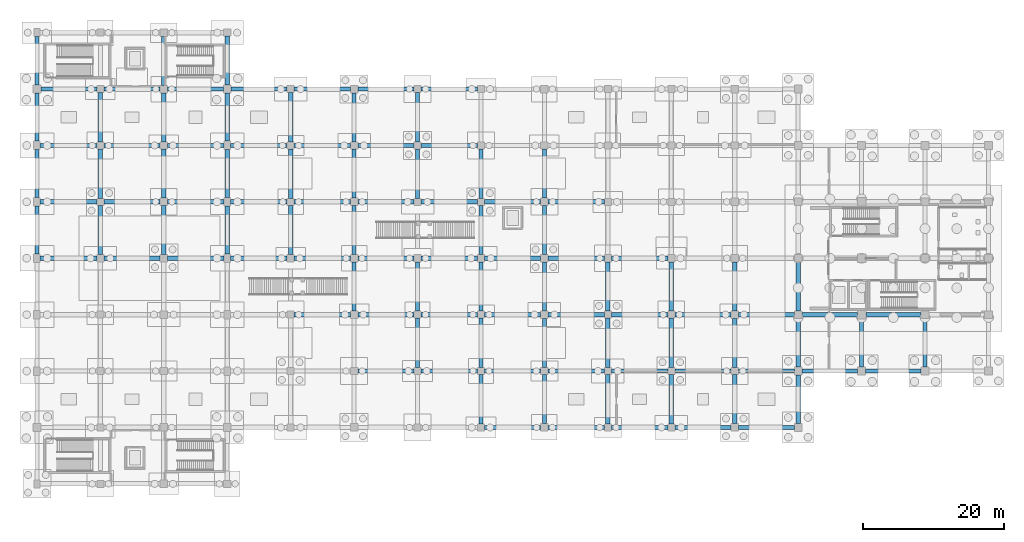
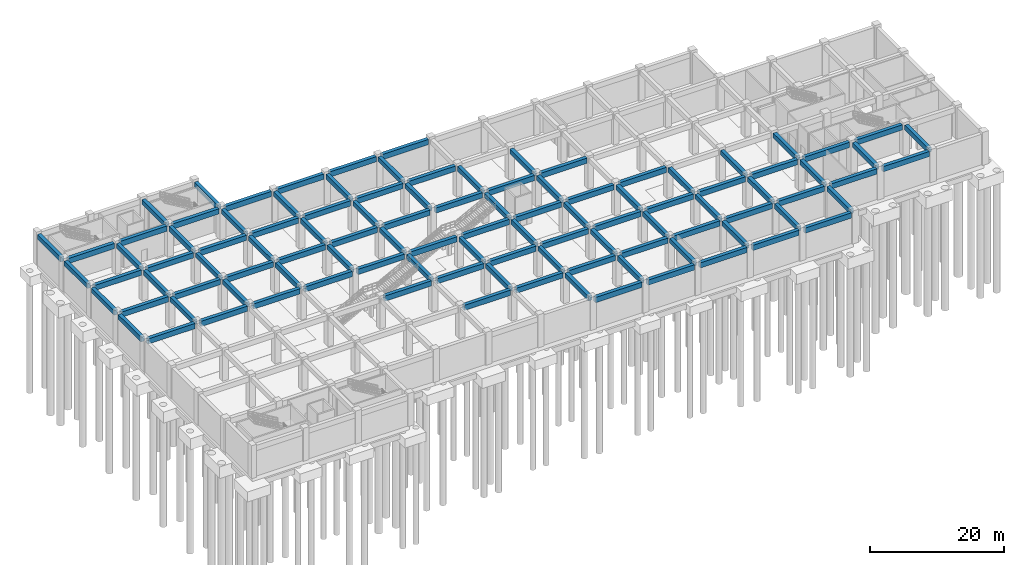
# One storey, part 7 of 18: 107 beams.
"""IFC4 building model written with IfcOpenShell, lengths in metres."""

from ifc_helpers import new_model, si_unit, derived_unit, direction, frame, origin, origin_2d, place, context, subcontext, project, spatial, rectangle, extrude, material, material_profile, profile_set, type_object, element, save


model = new_model("IFC4")

# Units and contexts
model_context = context("Model", 3, precision=1e-05, world=origin(), true_north=direction((0.0, 1.0)))
body_context = subcontext(model_context, "Body", "Model", "MODEL_VIEW")
ifc_project = project(units=[si_unit("LENGTHUNIT", "METRE"), si_unit("AREAUNIT", "SQUARE_METRE"), si_unit("VOLUMEUNIT", "CUBIC_METRE"), si_unit("PLANEANGLEUNIT", "RADIAN"), si_unit("MASSUNIT", "GRAM", prefix="KILO"), derived_unit("THERMALTRANSMITTANCEUNIT", [(si_unit("MASSUNIT", "GRAM", prefix="KILO"), 1), (si_unit("TIMEUNIT", "SECOND"), -3), (si_unit("THERMODYNAMICTEMPERATUREUNIT", "KELVIN"), -1)])], contexts=[model_context])

# Site, building, storey
site_placement = place(None, origin())
site = spatial("IfcSite", under=ifc_project, at=site_placement, CompositionType="ELEMENT")
building_placement = place(site_placement, origin())
building = spatial("IfcBuilding", under=site, at=building_placement, Name="Zhenchuan Archway Interchange", CompositionType="ELEMENT")
storey_placement = place(building_placement, frame((0.0, 0.0, -12.0)))
storey = spatial("IfcBuildingStorey", under=building, at=storey_placement, Name="B2", CompositionType="ELEMENT", Elevation=-12.0)

# Beams
ifc_material = material(Name="Concrete C40", Category="concrete")
ifc_material_profile_1 = material_profile(ifc_material, rectangle(XDim=0.60009765625, YDim=0.85009765625, at=origin_2d()), Name="RC 600x850")
ifc_profile_set_1 = profile_set([ifc_material_profile_1], Name="Concrete C40")
beam_type_1 = type_object("IfcBeamType", Name="BM_RC_600x850", PredefinedType="BEAM", material=ifc_profile_set_1)
for number, where, z_axis, x_axis, name in (
    (1, (36.0, 56.60009765625, 5.135009765625), (0.0, 1.0, 0.0), (-1.0, 0.0, 0.0), "Beam 5:H-J (B2)"),
    (2, (36.0, 64.60009765625, 5.135009765625), (0.0, 1.0, 0.0), (-1.0, 0.0, 0.0), "Beam 5:J-K (B2)"),
):
    element("IfcBeam", number, at=place(storey_placement, frame(where, z_axis=z_axis, x_axis=x_axis)), inside=storey, type_object=beam_type_1, Name=name, PredefinedType="BEAM", context=body_context, shape_type="SweptSolid", body=[
        extrude(rectangle(XDim=0.60009765625, YDim=0.85009765625, at=origin_2d()), origin(), (0.0, 0.0, 1.0), 6.7998046875),
    ])
beam_1_placement = place(storey_placement, frame((36.0, 72.60009765625, 5.135009765625), z_axis=(0.0, 1.0, 0.0), x_axis=(-1.0, 0.0, 0.0)))
element("IfcBeam", 3, at=beam_1_placement, inside=storey, type_object=beam_type_1, Name="Beam 5:K-L (B2)", PredefinedType="BEAM", context=body_context, shape_type="SweptSolid", body=[
    extrude(rectangle(XDim=0.60009765625, YDim=0.85009765625, at=origin_2d()), origin(), (0.0, 0.0, 1.0), 6.849853515625),
])
beam_2_placement = place(storey_placement, frame((36.0, 80.550048828125, 5.135009765625), z_axis=(0.0, 1.0, 0.0), x_axis=(-1.0, 0.0, 0.0)))
element("IfcBeam", 4, at=beam_2_placement, inside=storey, type_object=beam_type_1, Name="Beam 5:L-M (B2)", PredefinedType="BEAM", context=body_context, shape_type="SweptSolid", body=[
    extrude(rectangle(XDim=0.60009765625, YDim=0.85009765625, at=origin_2d()), origin(), (0.0, 0.0, 1.0), 6.875),
])
for number, where, z_axis, x_axis, name in (
    (5, (45.0, 56.5, 5.135009765625), (0.0, 1.0, 0.0), (-1.0, 0.0, 0.0), "Beam 6:H-J (B2)"),
    (6, (45.0, 64.5, 5.135009765625), (0.0, 1.0, 0.0), (-1.0, 0.0, 0.0), "Beam 6:J-K (B2)"),
    (7, (45.0, 72.5, 5.135009765625), (0.0, 1.0, 0.0), (-1.0, 0.0, 0.0), "Beam 6:K-L (B2)"),
):
    element("IfcBeam", number, at=place(storey_placement, frame(where, z_axis=z_axis, x_axis=x_axis)), inside=storey, type_object=beam_type_1, Name=name, PredefinedType="BEAM", context=body_context, shape_type="SweptSolid", body=[
        extrude(rectangle(XDim=0.60009765625, YDim=0.85009765625, at=origin_2d()), origin(), (0.0, 0.0, 1.0), 7.0),
    ])
for number, where, z_axis, x_axis, name in (
    (8, (54.0, 56.52490234375, 5.135009765625), (0.0, 1.0, 0.0), (-1.0, 0.0, 0.0), "Beam 7:H-J (B2)"),
    (9, (54.0, 64.52490234375, 5.135009765625), (0.0, 1.0, 0.0), (-1.0, 0.0, 0.0), "Beam 7:J-K (B2)"),
    (10, (54.0, 72.52490234375, 5.135009765625), (0.0, 1.0, 0.0), (-1.0, 0.0, 0.0), "Beam 7:K-L (B2)"),
    (11, (54.0, 80.52490234375, 5.135009765625), (0.0, 1.0, 0.0), (-1.0, 0.0, 0.0), "Beam 7:L-M (B2)"),
):
    element("IfcBeam", number, at=place(storey_placement, frame(where, z_axis=z_axis, x_axis=x_axis)), inside=storey, type_object=beam_type_1, Name=name, PredefinedType="BEAM", context=body_context, shape_type="SweptSolid", body=[
        extrude(rectangle(XDim=0.60009765625, YDim=0.85009765625, at=origin_2d()), origin(), (0.0, 0.0, 1.0), 6.9501953125),
    ])
for number, where, z_axis, x_axis, name in (
    (12, (63.0, 56.60009765625, 5.135009765625), (0.0, 1.0, 0.0), (-1.0, 0.0, 0.0), "Beam 8:H-J (B2)"),
    (13, (63.0, 64.60009765625, 5.135009765625), (0.0, 1.0, 0.0), (-1.0, 0.0, 0.0), "Beam 8:J-K (B2)"),
):
    element("IfcBeam", number, at=place(storey_placement, frame(where, z_axis=z_axis, x_axis=x_axis)), inside=storey, type_object=beam_type_1, Name=name, PredefinedType="BEAM", context=body_context, shape_type="SweptSolid", body=[
        extrude(rectangle(XDim=0.60009765625, YDim=0.85009765625, at=origin_2d()), origin(), (0.0, 0.0, 1.0), 6.7998046875),
    ])
beam_3_placement = place(storey_placement, frame((63.0, 72.60009765625, 5.135009765625), z_axis=(0.0, 1.0, 0.0), x_axis=(-1.0, 0.0, 0.0)))
element("IfcBeam", 14, at=beam_3_placement, inside=storey, type_object=beam_type_1, Name="Beam 8:K-L (B2)", PredefinedType="BEAM", context=body_context, shape_type="SweptSolid", body=[
    extrude(rectangle(XDim=0.60009765625, YDim=0.85009765625, at=origin_2d()), origin(), (0.0, 0.0, 1.0), 6.849853515625),
])
beam_4_placement = place(storey_placement, frame((63.0, 80.550048828125, 5.135009765625), z_axis=(0.0, 1.0, 0.0), x_axis=(-1.0, 0.0, 0.0)))
element("IfcBeam", 15, at=beam_4_placement, inside=storey, type_object=beam_type_1, Name="Beam 8:L-M (B2)", PredefinedType="BEAM", context=body_context, shape_type="SweptSolid", body=[
    extrude(rectangle(XDim=0.60009765625, YDim=0.85009765625, at=origin_2d()), origin(), (0.0, 0.0, 1.0), 6.949951171875),
])
for number, where, z_axis, x_axis, name in (
    (16, (72.0, 56.5, 5.135009765625), (0.0, 1.0, 0.0), (-1.0, 0.0, 0.0), "Beam 9:H-J (B2)"),
    (17, (72.0, 64.5, 5.135009765625), (0.0, 1.0, 0.0), (-1.0, 0.0, 0.0), "Beam 9:J-K (B2)"),
    (18, (72.0, 72.5, 5.135009765625), (0.0, 1.0, 0.0), (-1.0, 0.0, 0.0), "Beam 9:K-L (B2)"),
):
    element("IfcBeam", number, at=place(storey_placement, frame(where, z_axis=z_axis, x_axis=x_axis)), inside=storey, type_object=beam_type_1, Name=name, PredefinedType="BEAM", context=body_context, shape_type="SweptSolid", body=[
        extrude(rectangle(XDim=0.60009765625, YDim=0.85009765625, at=origin_2d()), origin(), (0.0, 0.0, 1.0), 7.0),
    ])
for number, where, z_axis, x_axis, name in (
    (19, (81.0, 48.52490234375, 5.135009765625), (0.0, 1.0, 0.0), (-1.0, 0.0, 0.0), "Beam 10:G-H (B2)"),
    (20, (81.0, 56.52490234375, 5.135009765625), (0.0, 1.0, 0.0), (-1.0, 0.0, 0.0), "Beam 10:H-J (B2)"),
    (21, (81.0, 64.52490234375, 5.135009765625), (0.0, 1.0, 0.0), (-1.0, 0.0, 0.0), "Beam 10:J-K (B2)"),
    (22, (81.0, 72.52490234375, 5.135009765625), (0.0, 1.0, 0.0), (-1.0, 0.0, 0.0), "Beam 10:K-L (B2)"),
):
    element("IfcBeam", number, at=place(storey_placement, frame(where, z_axis=z_axis, x_axis=x_axis)), inside=storey, type_object=beam_type_1, Name=name, PredefinedType="BEAM", context=body_context, shape_type="SweptSolid", body=[
        extrude(rectangle(XDim=0.60009765625, YDim=0.85009765625, at=origin_2d()), origin(), (0.0, 0.0, 1.0), 6.9501953125),
    ])
for number, where, z_axis, x_axis, name in (
    (23, (90.0, 40.5, 5.135009765625), (0.0, 1.0, 0.0), (-1.0, 0.0, 0.0), "Beam 11:F-G (B2)"),
    (24, (90.0, 48.5, 5.135009765625), (0.0, 1.0, 0.0), (-1.0, 0.0, 0.0), "Beam 11:G-H (B2)"),
    (25, (90.0, 64.5, 5.135009765625), (0.0, 1.0, 0.0), (-1.0, 0.0, 0.0), "Beam 11:J-K (B2)"),
    (26, (90.0, 72.5, 5.135009765625), (0.0, 1.0, 0.0), (-1.0, 0.0, 0.0), "Beam 11:K-L (B2)"),
    (27, (99.0, 32.5, 5.135009765625), (0.0, 1.0, 0.0), (-1.0, 0.0, 0.0), "Beam 12:E-F (B2)"),
    (28, (99.0, 40.5, 5.135009765625), (0.0, 1.0, 0.0), (-1.0, 0.0, 0.0), "Beam 12:F-G (B2)"),
    (29, (99.0, 48.5, 5.135009765625), (0.0, 1.0, 0.0), (-1.0, 0.0, 0.0), "Beam 12:G-H (B2)"),
    (30, (99.0, 56.5, 5.135009765625), (0.0, 1.0, 0.0), (-1.0, 0.0, 0.0), "Beam 12:H-J (B2)"),
    (31, (99.0, 64.5, 5.135009765625), (0.0, 1.0, 0.0), (-1.0, 0.0, 0.0), "Beam 12:J-K (B2)"),
):
    element("IfcBeam", number, at=place(storey_placement, frame(where, z_axis=z_axis, x_axis=x_axis)), inside=storey, type_object=beam_type_1, Name=name, PredefinedType="BEAM", context=body_context, shape_type="SweptSolid", body=[
        extrude(rectangle(XDim=0.60009765625, YDim=0.85009765625, at=origin_2d()), origin(), (0.0, 0.0, 1.0), 7.0),
    ])
for number, where, z_axis, x_axis, name in (
    (32, (108.0, 32.52490234375, 5.135009765625), (0.0, 1.0, 0.0), (-1.0, 0.0, 0.0), "Beam 13:E-F (B2)"),
    (33, (108.0, 40.52490234375, 5.135009765625), (0.0, 1.0, 0.0), (-1.0, 0.0, 0.0), "Beam 13:F-G (B2)"),
    (34, (108.0, 48.52490234375, 5.135009765625), (0.0, 1.0, 0.0), (-1.0, 0.0, 0.0), "Beam 13:G-H (B2)"),
    (35, (108.0, 56.52490234375, 5.135009765625), (0.0, 1.0, 0.0), (-1.0, 0.0, 0.0), "Beam 13:H-J (B2)"),
    (36, (108.0, 64.52490234375, 5.135009765625), (0.0, 1.0, 0.0), (-1.0, 0.0, 0.0), "Beam 13:J-K (B2)"),
):
    element("IfcBeam", number, at=place(storey_placement, frame(where, z_axis=z_axis, x_axis=x_axis)), inside=storey, type_object=beam_type_1, Name=name, PredefinedType="BEAM", context=body_context, shape_type="SweptSolid", body=[
        extrude(rectangle(XDim=0.60009765625, YDim=0.85009765625, at=origin_2d()), origin(), (0.0, 0.0, 1.0), 6.9501953125),
    ])
for number, where, z_axis, x_axis, name in (
    (37, (117.0, 32.5, 5.135009765625), (0.0, 1.0, 0.0), (-1.0, 0.0, 0.0), "Beam 14:E-F (B2)"),
    (38, (117.0, 40.5, 5.135009765625), (0.0, 1.0, 0.0), (-1.0, 0.0, 0.0), "Beam 14:F-G (B2)"),
    (39, (117.0, 48.5, 5.135009765625), (0.0, 1.0, 0.0), (-1.0, 0.0, 0.0), "Beam 14:G-H (B2)"),
    (40, (126.0, 32.5, 5.135009765625), (0.0, 1.0, 0.0), (-1.0, 0.0, 0.0), "Beam 15:E-F (B2)"),
    (41, (126.0, 40.5, 5.135009765625), (0.0, 1.0, 0.0), (-1.0, 0.0, 0.0), "Beam 15:F-G (B2)"),
    (42, (126.0, 48.5, 5.135009765625), (0.0, 1.0, 0.0), (-1.0, 0.0, 0.0), "Beam 15:G-H (B2)"),
):
    element("IfcBeam", number, at=place(storey_placement, frame(where, z_axis=z_axis, x_axis=x_axis)), inside=storey, type_object=beam_type_1, Name=name, PredefinedType="BEAM", context=body_context, shape_type="SweptSolid", body=[
        extrude(rectangle(XDim=0.60009765625, YDim=0.85009765625, at=origin_2d()), origin(), (0.0, 0.0, 1.0), 7.0),
    ])
for number, where, z_axis, x_axis, name in (
    (43, (135.0, 32.52490234375, 5.135009765625), (0.0, 1.0, 0.0), (-1.0, 0.0, 0.0), "Beam 16:E-F (B2)"),
    (44, (135.0, 40.52490234375, 5.135009765625), (0.0, 1.0, 0.0), (-1.0, 0.0, 0.0), "Beam 16:F-G (B2)"),
    (45, (135.0, 48.52490234375, 5.135009765625), (0.0, 1.0, 0.0), (-1.0, 0.0, 0.0), "Beam 16:G-H (B2)"),
):
    element("IfcBeam", number, at=place(storey_placement, frame(where, z_axis=z_axis, x_axis=x_axis)), inside=storey, type_object=beam_type_1, Name=name, PredefinedType="BEAM", context=body_context, shape_type="SweptSolid", body=[
        extrude(rectangle(XDim=0.60009765625, YDim=0.85009765625, at=origin_2d()), origin(), (0.0, 0.0, 1.0), 6.9501953125),
    ])
for number, where, z_axis, x_axis, name in (
    (46, (144.0, 32.550048828125, 5.135009765625), (0.0, 1.0, 0.0), (-1.0, 0.0, 0.0), "Beam 17:E-F (B2)"),
    (47, (144.0, 40.550048828125, 5.135009765625), (0.0, 1.0, 0.0), (-1.0, 0.0, 0.0), "Beam 17:F-G (B2)"),
    (48, (144.0, 48.550048828125, 5.135009765625), (0.0, 1.0, 0.0), (-1.0, 0.0, 0.0), "Beam 17:G-H (B2)"),
):
    element("IfcBeam", number, at=place(storey_placement, frame(where, z_axis=z_axis, x_axis=x_axis)), inside=storey, type_object=beam_type_1, Name=name, PredefinedType="BEAM", context=body_context, shape_type="SweptSolid", body=[
        extrude(rectangle(XDim=0.60009765625, YDim=0.85009765625, at=origin_2d()), origin(), (0.0, 0.0, 1.0), 6.89990234375),
    ])
beam_5_placement = place(storey_placement, frame((153.0, 40.550048828125, 5.135009765625), z_axis=(0.0, 1.0, 0.0), x_axis=(-1.0, 0.0, 0.0)))
element("IfcBeam", 49, at=beam_5_placement, inside=storey, type_object=beam_type_1, Name="Beam 18:F-G (B2)", PredefinedType="BEAM", context=body_context, shape_type="SweptSolid", body=[
    extrude(rectangle(XDim=0.60009765625, YDim=0.85009765625, at=origin_2d()), origin(), (0.0, 0.0, 1.0), 6.849853515625),
])
beam_6_placement = place(storey_placement, frame((162.0, 40.550048828125, 5.135009765625), z_axis=(0.0, 1.0, 0.0), x_axis=(-1.0, 0.0, 0.0)))
element("IfcBeam", 50, at=beam_6_placement, inside=storey, type_object=beam_type_1, Name="Beam 19:F-G (B2)", PredefinedType="BEAM", context=body_context, shape_type="SweptSolid", body=[
    extrude(rectangle(XDim=0.60009765625, YDim=0.85009765625, at=origin_2d()), origin(), (0.0, 0.0, 1.0), 6.89990234375),
])
ifc_material_profile_2 = material_profile(ifc_material, rectangle(XDim=0.60009765625, YDim=0.949951171875, at=origin_2d()), Name="RC 600x950")
ifc_profile_set_2 = profile_set([ifc_material_profile_2], Name="Concrete C40")
beam_type_2 = type_object("IfcBeamType", Name="BM_RC_600x950", PredefinedType="BEAM", material=ifc_profile_set_2)
for number, where, z_axis, x_axis, name in (
    (51, (99.5, 32.0, 5.0849609375), (1.0, 0.0, 0.0), (0.0, 1.0, 0.0), "Beam E:12-13 (B2)"),
    (52, (108.52490234375, 32.0, 5.0849609375), (1.0, 0.0, 0.0), (0.0, 1.0, 0.0), "Beam E:13-14 (B2)"),
):
    element("IfcBeam", number, at=place(storey_placement, frame(where, z_axis=z_axis, x_axis=x_axis)), inside=storey, type_object=beam_type_2, Name=name, PredefinedType="BEAM", context=body_context, shape_type="SweptSolid", body=[
        extrude(rectangle(XDim=0.60009765625, YDim=0.949951171875, at=origin_2d()), origin(), (0.0, 0.0, 1.0), 7.97509765625),
    ])
beam_7_placement = place(storey_placement, frame((117.5, 32.0, 5.0849609375), z_axis=(1.0, 0.0, 0.0), x_axis=(0.0, 1.0, 0.0)))
element("IfcBeam", 53, at=beam_7_placement, inside=storey, type_object=beam_type_2, Name="Beam E:14-15 (B2)", PredefinedType="BEAM", context=body_context, shape_type="SweptSolid", body=[
    extrude(rectangle(XDim=0.60009765625, YDim=0.949951171875, at=origin_2d()), origin(), (0.0, 0.0, 1.0), 8.0),
])
beam_8_placement = place(storey_placement, frame((126.5, 32.0, 5.0849609375), z_axis=(1.0, 0.0, 0.0), x_axis=(0.0, 1.0, 0.0)))
element("IfcBeam", 54, at=beam_8_placement, inside=storey, type_object=beam_type_2, Name="Beam E:15-16 (B2)", PredefinedType="BEAM", context=body_context, shape_type="SweptSolid", body=[
    extrude(rectangle(XDim=0.60009765625, YDim=0.949951171875, at=origin_2d()), origin(), (0.0, 0.0, 1.0), 7.97509765625),
])
beam_9_placement = place(storey_placement, frame((135.52490234375, 32.0, 5.0849609375), z_axis=(1.0, 0.0, 0.0), x_axis=(0.0, 1.0, 0.0)))
element("IfcBeam", 55, at=beam_9_placement, inside=storey, type_object=beam_type_2, Name="Beam E:16-17 (B2)", PredefinedType="BEAM", context=body_context, shape_type="SweptSolid", body=[
    extrude(rectangle(XDim=0.60009765625, YDim=0.949951171875, at=origin_2d()), origin(), (0.0, 0.0, 1.0), 7.925048828125),
])
beam_10_placement = place(storey_placement, frame((81.52490234375, 40.0, 5.0849609375), z_axis=(1.0, 0.0, 0.0), x_axis=(0.0, 1.0, 0.0)))
element("IfcBeam", 56, at=beam_10_placement, inside=storey, type_object=beam_type_2, Name="Beam F:10-11 (B2)", PredefinedType="BEAM", context=body_context, shape_type="SweptSolid", body=[
    extrude(rectangle(XDim=0.60009765625, YDim=0.949951171875, at=origin_2d()), origin(), (0.0, 0.0, 1.0), 7.97509765625),
])
beam_11_placement = place(storey_placement, frame((90.5, 40.0, 5.0849609375), z_axis=(1.0, 0.0, 0.0), x_axis=(0.0, 1.0, 0.0)))
element("IfcBeam", 57, at=beam_11_placement, inside=storey, type_object=beam_type_2, Name="Beam F:11-12 (B2)", PredefinedType="BEAM", context=body_context, shape_type="SweptSolid", body=[
    extrude(rectangle(XDim=0.60009765625, YDim=0.949951171875, at=origin_2d()), origin(), (0.0, 0.0, 1.0), 8.0),
])
for number, where, z_axis, x_axis, name in (
    (58, (99.5, 40.0, 5.0849609375), (1.0, 0.0, 0.0), (0.0, 1.0, 0.0), "Beam F:12-13 (B2)"),
    (59, (108.52490234375, 40.0, 5.0849609375), (1.0, 0.0, 0.0), (0.0, 1.0, 0.0), "Beam F:13-14 (B2)"),
):
    element("IfcBeam", number, at=place(storey_placement, frame(where, z_axis=z_axis, x_axis=x_axis)), inside=storey, type_object=beam_type_2, Name=name, PredefinedType="BEAM", context=body_context, shape_type="SweptSolid", body=[
        extrude(rectangle(XDim=0.60009765625, YDim=0.949951171875, at=origin_2d()), origin(), (0.0, 0.0, 1.0), 7.97509765625),
    ])
beam_12_placement = place(storey_placement, frame((117.5, 40.0, 5.0849609375), z_axis=(1.0, 0.0, 0.0), x_axis=(0.0, 1.0, 0.0)))
element("IfcBeam", 60, at=beam_12_placement, inside=storey, type_object=beam_type_2, Name="Beam F:14-15 (B2)", PredefinedType="BEAM", context=body_context, shape_type="SweptSolid", body=[
    extrude(rectangle(XDim=0.60009765625, YDim=0.949951171875, at=origin_2d()), origin(), (0.0, 0.0, 1.0), 8.0),
])
beam_13_placement = place(storey_placement, frame((126.5, 40.0, 5.0849609375), z_axis=(1.0, 0.0, 0.0), x_axis=(0.0, 1.0, 0.0)))
element("IfcBeam", 61, at=beam_13_placement, inside=storey, type_object=beam_type_2, Name="Beam F:15-16 (B2)", PredefinedType="BEAM", context=body_context, shape_type="SweptSolid", body=[
    extrude(rectangle(XDim=0.60009765625, YDim=0.949951171875, at=origin_2d()), origin(), (0.0, 0.0, 1.0), 7.97509765625),
])
beam_14_placement = place(storey_placement, frame((135.52490234375, 40.0, 5.0849609375), z_axis=(1.0, 0.0, 0.0), x_axis=(0.0, 1.0, 0.0)))
element("IfcBeam", 62, at=beam_14_placement, inside=storey, type_object=beam_type_2, Name="Beam F:16-17 (B2)", PredefinedType="BEAM", context=body_context, shape_type="SweptSolid", body=[
    extrude(rectangle(XDim=0.60009765625, YDim=0.949951171875, at=origin_2d()), origin(), (0.0, 0.0, 1.0), 7.925048828125),
])
for number, where, z_axis, x_axis, name in (
    (63, (144.550048828125, 40.0, 5.0849609375), (1.0, 0.0, 0.0), (0.0, 1.0, 0.0), "Beam F:17-18 (B2)"),
    (64, (153.550048828125, 40.0, 5.0849609375), (1.0, 0.0, 0.0), (0.0, 1.0, 0.0), "Beam F:18-19 (B2)"),
):
    element("IfcBeam", number, at=place(storey_placement, frame(where, z_axis=z_axis, x_axis=x_axis)), inside=storey, type_object=beam_type_2, Name=name, PredefinedType="BEAM", context=body_context, shape_type="SweptSolid", body=[
        extrude(rectangle(XDim=0.60009765625, YDim=0.949951171875, at=origin_2d()), origin(), (0.0, 0.0, 1.0), 7.89990234375),
    ])
for number, where, z_axis, x_axis, name in (
    (65, (72.5, 48.0, 5.0849609375), (1.0, 0.0, 0.0), (0.0, 1.0, 0.0), "Beam G:9-10 (B2)"),
    (66, (81.52490234375, 48.0, 5.0849609375), (1.0, 0.0, 0.0), (0.0, 1.0, 0.0), "Beam G:10-11 (B2)"),
):
    element("IfcBeam", number, at=place(storey_placement, frame(where, z_axis=z_axis, x_axis=x_axis)), inside=storey, type_object=beam_type_2, Name=name, PredefinedType="BEAM", context=body_context, shape_type="SweptSolid", body=[
        extrude(rectangle(XDim=0.60009765625, YDim=0.949951171875, at=origin_2d()), origin(), (0.0, 0.0, 1.0), 7.97509765625),
    ])
beam_15_placement = place(storey_placement, frame((90.5, 48.0, 5.0849609375), z_axis=(1.0, 0.0, 0.0), x_axis=(0.0, 1.0, 0.0)))
element("IfcBeam", 67, at=beam_15_placement, inside=storey, type_object=beam_type_2, Name="Beam G:11-12 (B2)", PredefinedType="BEAM", context=body_context, shape_type="SweptSolid", body=[
    extrude(rectangle(XDim=0.60009765625, YDim=0.949951171875, at=origin_2d()), origin(), (0.0, 0.0, 1.0), 8.0),
])
for number, where, z_axis, x_axis, name in (
    (68, (99.5, 48.0, 5.0849609375), (1.0, 0.0, 0.0), (0.0, 1.0, 0.0), "Beam G:12-13 (B2)"),
    (69, (108.52490234375, 48.0, 5.0849609375), (1.0, 0.0, 0.0), (0.0, 1.0, 0.0), "Beam G:13-14 (B2)"),
):
    element("IfcBeam", number, at=place(storey_placement, frame(where, z_axis=z_axis, x_axis=x_axis)), inside=storey, type_object=beam_type_2, Name=name, PredefinedType="BEAM", context=body_context, shape_type="SweptSolid", body=[
        extrude(rectangle(XDim=0.60009765625, YDim=0.949951171875, at=origin_2d()), origin(), (0.0, 0.0, 1.0), 7.97509765625),
    ])
beam_16_placement = place(storey_placement, frame((117.5, 48.0, 5.0849609375), z_axis=(1.0, 0.0, 0.0), x_axis=(0.0, 1.0, 0.0)))
element("IfcBeam", 70, at=beam_16_placement, inside=storey, type_object=beam_type_2, Name="Beam G:14-15 (B2)", PredefinedType="BEAM", context=body_context, shape_type="SweptSolid", body=[
    extrude(rectangle(XDim=0.60009765625, YDim=0.949951171875, at=origin_2d()), origin(), (0.0, 0.0, 1.0), 8.0),
])
beam_17_placement = place(storey_placement, frame((126.5, 48.0, 5.0849609375), z_axis=(1.0, 0.0, 0.0), x_axis=(0.0, 1.0, 0.0)))
element("IfcBeam", 71, at=beam_17_placement, inside=storey, type_object=beam_type_2, Name="Beam G:15-16 (B2)", PredefinedType="BEAM", context=body_context, shape_type="SweptSolid", body=[
    extrude(rectangle(XDim=0.60009765625, YDim=0.949951171875, at=origin_2d()), origin(), (0.0, 0.0, 1.0), 7.97509765625),
])
beam_18_placement = place(storey_placement, frame((135.52490234375, 48.0, 5.0849609375), z_axis=(1.0, 0.0, 0.0), x_axis=(0.0, 1.0, 0.0)))
element("IfcBeam", 72, at=beam_18_placement, inside=storey, type_object=beam_type_2, Name="Beam G:16-17 (B2)", PredefinedType="BEAM", context=body_context, shape_type="SweptSolid", body=[
    extrude(rectangle(XDim=0.60009765625, YDim=0.949951171875, at=origin_2d()), origin(), (0.0, 0.0, 1.0), 7.925048828125),
])
for number, where, z_axis, x_axis, name in (
    (73, (144.550048828125, 48.0, 5.0849609375), (1.0, 0.0, 0.0), (0.0, 1.0, 0.0), "Beam G:17-18 (B2)"),
    (74, (153.60009765625, 48.0, 5.0849609375), (1.0, 0.0, 0.0), (0.0, 1.0, 0.0), "Beam G:18-19 (B2)"),
):
    element("IfcBeam", number, at=place(storey_placement, frame(where, z_axis=z_axis, x_axis=x_axis)), inside=storey, type_object=beam_type_2, Name=name, PredefinedType="BEAM", context=body_context, shape_type="SweptSolid", body=[
        extrude(rectangle(XDim=0.60009765625, YDim=0.949951171875, at=origin_2d()), origin(), (0.0, 0.0, 1.0), 7.849853515625),
    ])
beam_19_placement = place(storey_placement, frame((36.449951171875, 56.0, 5.0849609375), z_axis=(1.0, 0.0, 0.0), x_axis=(0.0, 1.0, 0.0)))
element("IfcBeam", 75, at=beam_19_placement, inside=storey, type_object=beam_type_2, Name="Beam H:5-6 (B2)", PredefinedType="BEAM", context=body_context, shape_type="SweptSolid", body=[
    extrude(rectangle(XDim=0.60009765625, YDim=0.949951171875, at=origin_2d()), origin(), (0.0, 0.0, 1.0), 8.050048828125),
])
beam_20_placement = place(storey_placement, frame((45.5, 56.0, 5.0849609375), z_axis=(1.0, 0.0, 0.0), x_axis=(0.0, 1.0, 0.0)))
element("IfcBeam", 76, at=beam_20_placement, inside=storey, type_object=beam_type_2, Name="Beam H:6-7 (B2)", PredefinedType="BEAM", context=body_context, shape_type="SweptSolid", body=[
    extrude(rectangle(XDim=0.60009765625, YDim=0.949951171875, at=origin_2d()), origin(), (0.0, 0.0, 1.0), 7.97509765625),
])
beam_21_placement = place(storey_placement, frame((54.52490234375, 56.0, 5.0849609375), z_axis=(1.0, 0.0, 0.0), x_axis=(0.0, 1.0, 0.0)))
element("IfcBeam", 77, at=beam_21_placement, inside=storey, type_object=beam_type_2, Name="Beam H:7-8 (B2)", PredefinedType="BEAM", context=body_context, shape_type="SweptSolid", body=[
    extrude(rectangle(XDim=0.60009765625, YDim=0.949951171875, at=origin_2d()), origin(), (0.0, 0.0, 1.0), 8.025146484375),
])
beam_22_placement = place(storey_placement, frame((63.449951171875, 56.0, 5.0849609375), z_axis=(1.0, 0.0, 0.0), x_axis=(0.0, 1.0, 0.0)))
element("IfcBeam", 78, at=beam_22_placement, inside=storey, type_object=beam_type_2, Name="Beam H:8-9 (B2)", PredefinedType="BEAM", context=body_context, shape_type="SweptSolid", body=[
    extrude(rectangle(XDim=0.60009765625, YDim=0.949951171875, at=origin_2d()), origin(), (0.0, 0.0, 1.0), 8.050048828125),
])
for number, where, z_axis, x_axis, name in (
    (79, (72.5, 56.0, 5.0849609375), (1.0, 0.0, 0.0), (0.0, 1.0, 0.0), "Beam H:9-10 (B2)"),
    (80, (81.52490234375, 56.0, 5.0849609375), (1.0, 0.0, 0.0), (0.0, 1.0, 0.0), "Beam H:10-11 (B2)"),
):
    element("IfcBeam", number, at=place(storey_placement, frame(where, z_axis=z_axis, x_axis=x_axis)), inside=storey, type_object=beam_type_2, Name=name, PredefinedType="BEAM", context=body_context, shape_type="SweptSolid", body=[
        extrude(rectangle(XDim=0.60009765625, YDim=0.949951171875, at=origin_2d()), origin(), (0.0, 0.0, 1.0), 7.97509765625),
    ])
beam_23_placement = place(storey_placement, frame((90.5, 56.0, 5.0849609375), z_axis=(1.0, 0.0, 0.0), x_axis=(0.0, 1.0, 0.0)))
element("IfcBeam", 81, at=beam_23_placement, inside=storey, type_object=beam_type_2, Name="Beam H:11-12 (B2)", PredefinedType="BEAM", context=body_context, shape_type="SweptSolid", body=[
    extrude(rectangle(XDim=0.60009765625, YDim=0.949951171875, at=origin_2d()), origin(), (0.0, 0.0, 1.0), 8.0),
])
for number, where, z_axis, x_axis, name in (
    (82, (99.5, 56.0, 5.0849609375), (1.0, 0.0, 0.0), (0.0, 1.0, 0.0), "Beam H:12-13 (B2)"),
    (83, (108.52490234375, 56.0, 5.0849609375), (1.0, 0.0, 0.0), (0.0, 1.0, 0.0), "Beam H:13-14 (B2)"),
):
    element("IfcBeam", number, at=place(storey_placement, frame(where, z_axis=z_axis, x_axis=x_axis)), inside=storey, type_object=beam_type_2, Name=name, PredefinedType="BEAM", context=body_context, shape_type="SweptSolid", body=[
        extrude(rectangle(XDim=0.60009765625, YDim=0.949951171875, at=origin_2d()), origin(), (0.0, 0.0, 1.0), 7.97509765625),
    ])
beam_24_placement = place(storey_placement, frame((117.5, 56.0, 5.0849609375), z_axis=(1.0, 0.0, 0.0), x_axis=(0.0, 1.0, 0.0)))
element("IfcBeam", 84, at=beam_24_placement, inside=storey, type_object=beam_type_2, Name="Beam H:14-15 (B2)", PredefinedType="BEAM", context=body_context, shape_type="SweptSolid", body=[
    extrude(rectangle(XDim=0.60009765625, YDim=0.949951171875, at=origin_2d()), origin(), (0.0, 0.0, 1.0), 8.0),
])
beam_25_placement = place(storey_placement, frame((36.449951171875, 64.0, 5.0849609375), z_axis=(1.0, 0.0, 0.0), x_axis=(0.0, 1.0, 0.0)))
element("IfcBeam", 85, at=beam_25_placement, inside=storey, type_object=beam_type_2, Name="Beam J:5-6 (B2)", PredefinedType="BEAM", context=body_context, shape_type="SweptSolid", body=[
    extrude(rectangle(XDim=0.60009765625, YDim=0.949951171875, at=origin_2d()), origin(), (0.0, 0.0, 1.0), 8.050048828125),
])
beam_26_placement = place(storey_placement, frame((45.5, 64.0, 5.0849609375), z_axis=(1.0, 0.0, 0.0), x_axis=(0.0, 1.0, 0.0)))
element("IfcBeam", 86, at=beam_26_placement, inside=storey, type_object=beam_type_2, Name="Beam J:6-7 (B2)", PredefinedType="BEAM", context=body_context, shape_type="SweptSolid", body=[
    extrude(rectangle(XDim=0.60009765625, YDim=0.949951171875, at=origin_2d()), origin(), (0.0, 0.0, 1.0), 7.97509765625),
])
beam_27_placement = place(storey_placement, frame((54.52490234375, 64.0, 5.0849609375), z_axis=(1.0, 0.0, 0.0), x_axis=(0.0, 1.0, 0.0)))
element("IfcBeam", 87, at=beam_27_placement, inside=storey, type_object=beam_type_2, Name="Beam J:7-8 (B2)", PredefinedType="BEAM", context=body_context, shape_type="SweptSolid", body=[
    extrude(rectangle(XDim=0.60009765625, YDim=0.949951171875, at=origin_2d()), origin(), (0.0, 0.0, 1.0), 8.025146484375),
])
beam_28_placement = place(storey_placement, frame((63.449951171875, 64.0, 5.0849609375), z_axis=(1.0, 0.0, 0.0), x_axis=(0.0, 1.0, 0.0)))
element("IfcBeam", 88, at=beam_28_placement, inside=storey, type_object=beam_type_2, Name="Beam J:8-9 (B2)", PredefinedType="BEAM", context=body_context, shape_type="SweptSolid", body=[
    extrude(rectangle(XDim=0.60009765625, YDim=0.949951171875, at=origin_2d()), origin(), (0.0, 0.0, 1.0), 8.050048828125),
])
for number, where, z_axis, x_axis, name in (
    (89, (72.5, 64.0, 5.0849609375), (1.0, 0.0, 0.0), (0.0, 1.0, 0.0), "Beam J:9-10 (B2)"),
    (90, (81.52490234375, 64.0, 5.0849609375), (1.0, 0.0, 0.0), (0.0, 1.0, 0.0), "Beam J:10-11 (B2)"),
):
    element("IfcBeam", number, at=place(storey_placement, frame(where, z_axis=z_axis, x_axis=x_axis)), inside=storey, type_object=beam_type_2, Name=name, PredefinedType="BEAM", context=body_context, shape_type="SweptSolid", body=[
        extrude(rectangle(XDim=0.60009765625, YDim=0.949951171875, at=origin_2d()), origin(), (0.0, 0.0, 1.0), 7.97509765625),
    ])
beam_29_placement = place(storey_placement, frame((90.5, 64.0, 5.0849609375), z_axis=(1.0, 0.0, 0.0), x_axis=(0.0, 1.0, 0.0)))
element("IfcBeam", 91, at=beam_29_placement, inside=storey, type_object=beam_type_2, Name="Beam J:11-12 (B2)", PredefinedType="BEAM", context=body_context, shape_type="SweptSolid", body=[
    extrude(rectangle(XDim=0.60009765625, YDim=0.949951171875, at=origin_2d()), origin(), (0.0, 0.0, 1.0), 8.0),
])
for number, where, z_axis, x_axis, name in (
    (92, (99.5, 64.0, 5.0849609375), (1.0, 0.0, 0.0), (0.0, 1.0, 0.0), "Beam J:12-13 (B2)"),
    (93, (108.52490234375, 64.0, 5.0849609375), (1.0, 0.0, 0.0), (0.0, 1.0, 0.0), "Beam J:13-14 (B2)"),
):
    element("IfcBeam", number, at=place(storey_placement, frame(where, z_axis=z_axis, x_axis=x_axis)), inside=storey, type_object=beam_type_2, Name=name, PredefinedType="BEAM", context=body_context, shape_type="SweptSolid", body=[
        extrude(rectangle(XDim=0.60009765625, YDim=0.949951171875, at=origin_2d()), origin(), (0.0, 0.0, 1.0), 7.97509765625),
    ])
beam_30_placement = place(storey_placement, frame((36.449951171875, 72.0, 5.0849609375), z_axis=(1.0, 0.0, 0.0), x_axis=(0.0, 1.0, 0.0)))
element("IfcBeam", 94, at=beam_30_placement, inside=storey, type_object=beam_type_2, Name="Beam K:5-6 (B2)", PredefinedType="BEAM", context=body_context, shape_type="SweptSolid", body=[
    extrude(rectangle(XDim=0.60009765625, YDim=0.949951171875, at=origin_2d()), origin(), (0.0, 0.0, 1.0), 8.050048828125),
])
beam_31_placement = place(storey_placement, frame((45.5, 72.0, 5.0849609375), z_axis=(1.0, 0.0, 0.0), x_axis=(0.0, 1.0, 0.0)))
element("IfcBeam", 95, at=beam_31_placement, inside=storey, type_object=beam_type_2, Name="Beam K:6-7 (B2)", PredefinedType="BEAM", context=body_context, shape_type="SweptSolid", body=[
    extrude(rectangle(XDim=0.60009765625, YDim=0.949951171875, at=origin_2d()), origin(), (0.0, 0.0, 1.0), 7.97509765625),
])
beam_32_placement = place(storey_placement, frame((54.52490234375, 72.0, 5.0849609375), z_axis=(1.0, 0.0, 0.0), x_axis=(0.0, 1.0, 0.0)))
element("IfcBeam", 96, at=beam_32_placement, inside=storey, type_object=beam_type_2, Name="Beam K:7-8 (B2)", PredefinedType="BEAM", context=body_context, shape_type="SweptSolid", body=[
    extrude(rectangle(XDim=0.60009765625, YDim=0.949951171875, at=origin_2d()), origin(), (0.0, 0.0, 1.0), 8.025146484375),
])
beam_33_placement = place(storey_placement, frame((63.449951171875, 72.0, 5.0849609375), z_axis=(1.0, 0.0, 0.0), x_axis=(0.0, 1.0, 0.0)))
element("IfcBeam", 97, at=beam_33_placement, inside=storey, type_object=beam_type_2, Name="Beam K:8-9 (B2)", PredefinedType="BEAM", context=body_context, shape_type="SweptSolid", body=[
    extrude(rectangle(XDim=0.60009765625, YDim=0.949951171875, at=origin_2d()), origin(), (0.0, 0.0, 1.0), 8.050048828125),
])
for number, where, z_axis, x_axis, name in (
    (98, (72.5, 72.0, 5.0849609375), (1.0, 0.0, 0.0), (0.0, 1.0, 0.0), "Beam K:9-10 (B2)"),
    (99, (81.52490234375, 72.0, 5.0849609375), (1.0, 0.0, 0.0), (0.0, 1.0, 0.0), "Beam K:10-11 (B2)"),
):
    element("IfcBeam", number, at=place(storey_placement, frame(where, z_axis=z_axis, x_axis=x_axis)), inside=storey, type_object=beam_type_2, Name=name, PredefinedType="BEAM", context=body_context, shape_type="SweptSolid", body=[
        extrude(rectangle(XDim=0.60009765625, YDim=0.949951171875, at=origin_2d()), origin(), (0.0, 0.0, 1.0), 7.97509765625),
    ])
beam_34_placement = place(storey_placement, frame((90.5, 72.0, 5.0849609375), z_axis=(1.0, 0.0, 0.0), x_axis=(0.0, 1.0, 0.0)))
element("IfcBeam", 100, at=beam_34_placement, inside=storey, type_object=beam_type_2, Name="Beam K:11-12 (B2)", PredefinedType="BEAM", context=body_context, shape_type="SweptSolid", body=[
    extrude(rectangle(XDim=0.60009765625, YDim=0.949951171875, at=origin_2d()), origin(), (0.0, 0.0, 1.0), 8.0),
])
beam_35_placement = place(storey_placement, frame((36.550048828125, 80.0, 5.0849609375), z_axis=(1.0, 0.0, 0.0), x_axis=(0.0, 1.0, 0.0)))
element("IfcBeam", 101, at=beam_35_placement, inside=storey, type_object=beam_type_2, Name="Beam L:5-6 (B2)", PredefinedType="BEAM", context=body_context, shape_type="SweptSolid", body=[
    extrude(rectangle(XDim=0.60009765625, YDim=0.949951171875, at=origin_2d()), origin(), (0.0, 0.0, 1.0), 7.949951171875),
])
beam_36_placement = place(storey_placement, frame((45.5, 80.0, 5.0849609375), z_axis=(1.0, 0.0, 0.0), x_axis=(0.0, 1.0, 0.0)))
element("IfcBeam", 102, at=beam_36_placement, inside=storey, type_object=beam_type_2, Name="Beam L:6-7 (B2)", PredefinedType="BEAM", context=body_context, shape_type="SweptSolid", body=[
    extrude(rectangle(XDim=0.60009765625, YDim=0.949951171875, at=origin_2d()), origin(), (0.0, 0.0, 1.0), 7.97509765625),
])
beam_37_placement = place(storey_placement, frame((54.52490234375, 80.0, 5.0849609375), z_axis=(1.0, 0.0, 0.0), x_axis=(0.0, 1.0, 0.0)))
element("IfcBeam", 103, at=beam_37_placement, inside=storey, type_object=beam_type_2, Name="Beam L:7-8 (B2)", PredefinedType="BEAM", context=body_context, shape_type="SweptSolid", body=[
    extrude(rectangle(XDim=0.60009765625, YDim=0.949951171875, at=origin_2d()), origin(), (0.0, 0.0, 1.0), 7.925048828125),
])
beam_38_placement = place(storey_placement, frame((63.550048828125, 80.0, 5.0849609375), z_axis=(1.0, 0.0, 0.0), x_axis=(0.0, 1.0, 0.0)))
element("IfcBeam", 104, at=beam_38_placement, inside=storey, type_object=beam_type_2, Name="Beam L:8-9 (B2)", PredefinedType="BEAM", context=body_context, shape_type="SweptSolid", body=[
    extrude(rectangle(XDim=0.60009765625, YDim=0.949951171875, at=origin_2d()), origin(), (0.0, 0.0, 1.0), 7.949951171875),
])
for number, where, z_axis, x_axis, name in (
    (105, (72.5, 80.0, 5.0849609375), (1.0, 0.0, 0.0), (0.0, 1.0, 0.0), "Beam L:9-10 (B2)"),
    (106, (81.52490234375, 80.0, 5.0849609375), (1.0, 0.0, 0.0), (0.0, 1.0, 0.0), "Beam L:10-11 (B2)"),
):
    element("IfcBeam", number, at=place(storey_placement, frame(where, z_axis=z_axis, x_axis=x_axis)), inside=storey, type_object=beam_type_2, Name=name, PredefinedType="BEAM", context=body_context, shape_type="SweptSolid", body=[
        extrude(rectangle(XDim=0.60009765625, YDim=0.949951171875, at=origin_2d()), origin(), (0.0, 0.0, 1.0), 7.97509765625),
    ])
beam_39_placement = place(storey_placement, frame((90.5, 80.0, 5.0849609375), z_axis=(1.0, 0.0, 0.0), x_axis=(0.0, 1.0, 0.0)))
element("IfcBeam", 107, at=beam_39_placement, inside=storey, type_object=beam_type_2, Name="Beam L:11-12 (B2)", PredefinedType="BEAM", context=body_context, shape_type="SweptSolid", body=[
    extrude(rectangle(XDim=0.60009765625, YDim=0.949951171875, at=origin_2d()), origin(), (0.0, 0.0, 1.0), 8.0),
])

save(model, "model.ifc")
